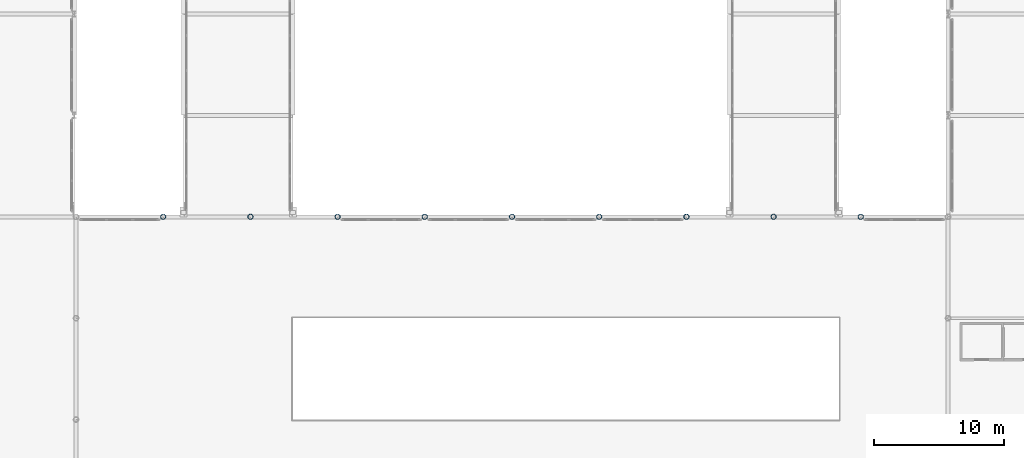
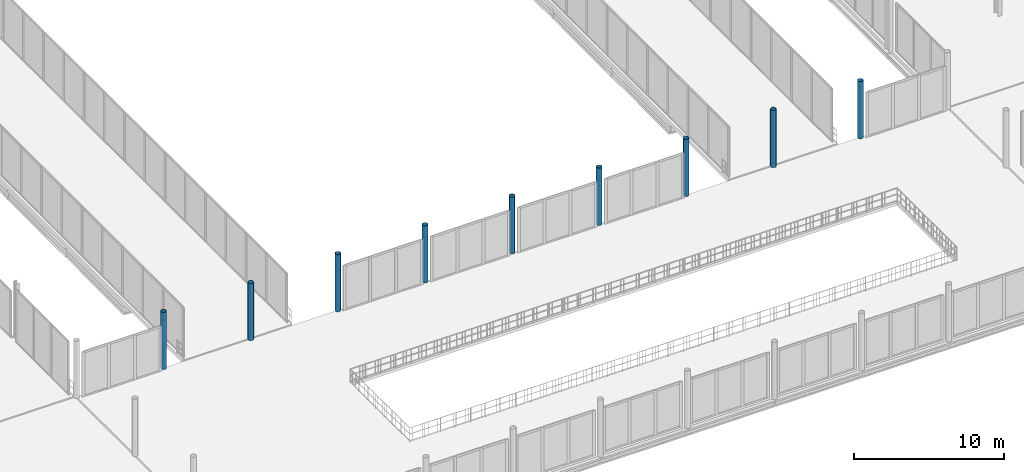
# One storey, part 6 of 98: 9 columns.
"""IFC4 building model written with IfcOpenShell, lengths in metres."""

import ifcopenshell
import ifcopenshell.guid

model = None  # the IFC model being written
_history = None  # IfcOwnerHistory: only IFC2X3 demands one
_inside = {}  # id of a spatial element -> (the spatial element, [elements in it])
_under = {}  # id of a project, library or spatial element -> (it, [spatial elements below it])
_declared = {}  # id of a project -> (the project, [libraries it declares])
_typed = {}  # id of a type object -> (the type object, [elements of that type])
_made_of = {}  # id of a material, layer set ... -> (it, [elements and type objects made of it])


def new_model(schema):
    """Start an empty IFC model of exactly this schema.

    Asked for "IFC4X3", IfcOpenShell would pick the latest addendum, in which some entities
    have other attributes; the version numbers below select the first issue.
    IFC2X3 requires an IfcOwnerHistory on every rooted entity: one is made here for all.
    """
    global model, _history
    if schema == "IFC4X3":
        model = ifcopenshell.file(schema_version=(4, 3, 0, 0))
    else:
        model = ifcopenshell.file(schema=schema)
    _inside.clear()
    _under.clear()
    _declared.clear()
    _typed.clear()
    _made_of.clear()
    _history = None
    if model.schema == "IFC2X3":
        org = make("IfcOrganization", Name="unknown")
        user = make(
            "IfcPersonAndOrganization",
            ThePerson=make("IfcPerson", FamilyName="unknown"),
            TheOrganization=org,
        )
        app = make(
            "IfcApplication",
            ApplicationDeveloper=org,
            Version="unknown",
            ApplicationFullName="unknown",
            ApplicationIdentifier="unknown",
        )
        _history = make(
            "IfcOwnerHistory",
            OwningUser=user,
            OwningApplication=app,
            ChangeAction="ADDED",
            CreationDate=0,
        )
    return model


def make(cls, **values):
    """One entity of the class cls with the attributes given. An attribute that is None is left unset."""
    return model.create_entity(
        cls, **{name: value for name, value in values.items() if value is not None}
    )


def rooted(cls, **values):
    """An entity with a GlobalId (a new one), such as an element, a storey or a relation."""
    return make(cls, GlobalId=ifcopenshell.guid.new(), OwnerHistory=_history, **values)


def si_unit(unit_type, name, prefix=None):
    """IfcSIUnit, for example si_unit("LENGTHUNIT", "METRE", prefix="MILLI")."""
    return make("IfcSIUnit", UnitType=unit_type, Prefix=prefix, Name=name)


def assignment(units):
    """IfcUnitAssignment: the units of a project."""
    return None if units is None else make("IfcUnitAssignment", Units=units)


def point(xyz):
    """IfcCartesianPoint."""
    return None if xyz is None else make("IfcCartesianPoint", Coordinates=xyz)


def direction(xyz):
    """IfcDirection."""
    return None if xyz is None else make("IfcDirection", DirectionRatios=xyz)


def frame(location, z_axis=None, x_axis=None):
    """IfcAxis2Placement3D, a coordinate frame: its origin and axes. An axis left out is left unset."""
    return make(
        "IfcAxis2Placement3D",
        Location=point(location),
        Axis=direction(z_axis),
        RefDirection=direction(x_axis),
    )


def frame_2d(location, x_axis=None):
    """IfcAxis2Placement2D, a coordinate frame in the plane: its origin and x axis."""
    return make(
        "IfcAxis2Placement2D", Location=point(location), RefDirection=direction(x_axis)
    )


def origin():
    """The frame at (0, 0, 0) with its axes left unset."""
    return frame((0.0, 0.0, 0.0))


def origin_2d():
    """The frame at (0, 0) in the plane with its x axis left unset."""
    return frame_2d((0.0, 0.0))


def place(relative_to, where):
    """IfcLocalPlacement: puts the frame where relative to a parent placement (None: the world)."""
    return make(
        "IfcLocalPlacement", PlacementRelTo=relative_to, RelativePlacement=where
    )


def context(
    kind, dimensions, precision=None, world=None, true_north=None, identifier=None
):
    """IfcGeometricRepresentationContext, for example the 3D "Model" context."""
    return make(
        "IfcGeometricRepresentationContext",
        ContextIdentifier=identifier,
        ContextType=kind,
        CoordinateSpaceDimension=dimensions,
        Precision=precision,
        WorldCoordinateSystem=world,
        TrueNorth=true_north,
    )


def subcontext(parent, identifier, kind, view, scale=None):
    """IfcGeometricRepresentationSubContext, for example "Body" below "Model"."""
    return make(
        "IfcGeometricRepresentationSubContext",
        ContextIdentifier=identifier,
        ContextType=kind,
        ParentContext=parent,
        TargetScale=scale,
        TargetView=view,
    )


def project(units=None, contexts=None):
    """IfcProject with its units and contexts."""
    return rooted(
        "IfcProject",
        Name="project",
        RepresentationContexts=contexts,
        UnitsInContext=assignment(units),
    )


def spatial(cls, under=None, at=None, **own):
    """A site, building, storey or space (cls), placed at a placement, below another one or the project."""
    s = rooted(cls, ObjectPlacement=at, **own)
    if under is not None:
        _under.setdefault(under.id(), (under, []))[1].append(s)
    return s


def profile(cls, at=None, kind="AREA", **sizes):
    """A parametric profile (cls). Its sizes go by their IFC names, for example OverallWidth=200.0."""
    return make(cls, ProfileType=kind, Position=at, **sizes)


def hollow_circle(**sizes):
    """IfcCircleHollowProfileDef."""
    return profile("IfcCircleHollowProfileDef", **sizes)


def extrude(swept, where, along, depth):
    """IfcExtrudedAreaSolid: the profile swept, set in the frame where, extruded along a direction by depth."""
    return make(
        "IfcExtrudedAreaSolid",
        SweptArea=swept,
        Position=where,
        ExtrudedDirection=direction(along),
        Depth=depth,
    )


def shape(context_of_items, identifier, shape_type, items):
    """IfcShapeRepresentation: the items that make up one representation, for example the "Body"."""
    return make(
        "IfcShapeRepresentation",
        ContextOfItems=context_of_items,
        RepresentationIdentifier=identifier,
        RepresentationType=shape_type,
        Items=items,
    )


def material(Name=None, Category=None):
    """IfcMaterial."""
    return make("IfcMaterial", Name=Name, Category=Category)


def material_profile(
    of_material, cross_section, Name=None, Category=None, Priority=None
):
    """IfcMaterialProfile: a cross section and its material."""
    return make(
        "IfcMaterialProfile",
        Name=Name,
        Material=of_material,
        Profile=cross_section,
        Priority=Priority,
        Category=Category,
    )


def profile_set(profiles, Name=None, composite=None):
    """IfcMaterialProfileSet."""
    return make(
        "IfcMaterialProfileSet",
        Name=Name,
        MaterialProfiles=profiles,
        CompositeProfile=composite,
    )


def made_of(thing, what):
    """Note that an element or type object is made of a material, layer set ...; save() writes the relation."""
    if what is not None:
        _made_of.setdefault(what.id(), (what, []))[1].append(thing)
    return thing


def type_object(cls, material=None, **own):
    """A type object (cls), such as IfcWallType, which elements share."""
    return made_of(rooted(cls, **own), material)


def element(
    cls,
    number,
    at=None,
    inside=None,
    cuts=None,
    type_object=None,
    material=None,
    context=None,
    identifier="Body",
    shape_type=None,
    held_by="IfcProductDefinitionShape",
    body=None,
    shapes=None,
    **own,
):
    """One element of the class cls, such as IfcWall. Its Tag is "e" and its number.

    at: its placement. inside: the storey or other place that contains it. cuts: it is an
    opening in that element (IfcRelVoidsElement). A single representation is given by context,
    identifier, shape_type and body (its items); several are given by shapes. held_by: the class
    of the entity that holds the representations. save() writes the other relations.
    """
    e = rooted(cls, Tag="e%d" % number, ObjectPlacement=at, **own)
    if body is not None:
        shapes = [shape(context, identifier, shape_type, body)]
    if shapes is not None:
        e.Representation = make(held_by, Representations=shapes)
    if inside is not None:
        _inside.setdefault(inside.id(), (inside, []))[1].append(e)
    if cuts is not None:
        rooted(
            "IfcRelVoidsElement", RelatingBuildingElement=cuts, RelatedOpeningElement=e
        )
    if type_object is not None:
        _typed.setdefault(type_object.id(), (type_object, []))[1].append(e)
    return made_of(e, material)


def aggregate(whole, parts):
    """IfcRelAggregates: a whole, such as a stair, and the parts it consists of."""
    return rooted("IfcRelAggregates", RelatingObject=whole, RelatedObjects=parts)


def save(model, path):
    """Write the relations noted so far, then the file.

    IfcRelAggregates (storeys below a building ...), IfcRelContainedInSpatialStructure (elements
    in a storey), IfcRelDefinesByType, IfcRelAssociatesMaterial and IfcRelDeclares: one each for
    every whole, place, type object, material and project.
    """
    for whole, parts in _under.values():
        aggregate(whole, parts)
    for where, things in _inside.values():
        rooted(
            "IfcRelContainedInSpatialStructure",
            RelatedElements=things,
            RelatingStructure=where,
        )
    for kind, things in _typed.values():
        rooted("IfcRelDefinesByType", RelatedObjects=things, RelatingType=kind)
    for what, things in _made_of.values():
        rooted("IfcRelAssociatesMaterial", RelatedObjects=things, RelatingMaterial=what)
    for by, libraries in _declared.values():
        rooted("IfcRelDeclares", RelatingContext=by, RelatedDefinitions=libraries)
    model.write(path)


model = new_model("IFC4")

# Units and contexts
model_context = context("Model", 3, precision=1e-05, world=origin(), true_north=direction((0.0, 1.0)))
body_context = subcontext(model_context, "Body", "Model", "MODEL_VIEW")
ifc_project = project(units=[si_unit("LENGTHUNIT", "METRE"), si_unit("AREAUNIT", "SQUARE_METRE"), si_unit("VOLUMEUNIT", "CUBIC_METRE"), si_unit("PLANEANGLEUNIT", "RADIAN"), si_unit("MASSUNIT", "GRAM", prefix="KILO")], contexts=[model_context])

# Site, building, storey
site_placement = place(None, origin())
site = spatial("IfcSite", under=ifc_project, at=site_placement, CompositionType="ELEMENT")
building_placement = place(site_placement, origin())
building = spatial("IfcBuilding", under=site, at=building_placement, Name="Nabrawat Pavilion Hospital", CompositionType="ELEMENT")
storey_placement = place(building_placement, frame((0.0, 0.0, 10.199951171875)))
storey = spatial("IfcBuildingStorey", under=building, at=storey_placement, Name="L02", CompositionType="ELEMENT", Elevation=10.199951171875)

# Columns
ifc_material = material(Name="Steel S355", Category="steel")
ifc_material_profile = material_profile(ifc_material, hollow_circle(Radius=0.203125, WallThickness=0.02001953125, at=origin_2d()), Name="CHS 406.4x20")
ifc_profile_set = profile_set([ifc_material_profile], Name="Steel S355")
column_type = type_object("IfcColumnType", Name="Expressed Pavilion Tubular Column CHS 406.4x20", PredefinedType="COLUMN", material=ifc_profile_set)
for number, where, z_axis, x_axis, name in (
    (1, (65.6279296875, 39.0, 0.0), (0.0, 0.0, 1.0), (1.0, 0.0, 0.0), "L02 Expressed Pavilion Column MH-N01"),
    (2, (72.3359375, 39.0, 0.0), (0.0, 0.0, 1.0), (1.0, 0.0, 0.0), "L02 Expressed Pavilion Column MH-N02"),
    (3, (79.0439453125, 39.0, 0.0), (0.0, 0.0, 1.0), (1.0, 0.0, 0.0), "L02 Expressed Pavilion Column MH-N03"),
    (4, (85.751953125, 39.0, 0.0), (0.0, 0.0, 1.0), (1.0, 0.0, 0.0), "L02 Expressed Pavilion Column MH-N04"),
    (5, (92.4599609375, 39.0, 0.0), (0.0, 0.0, 1.0), (1.0, 0.0, 0.0), "L02 Expressed Pavilion Column MH-N05"),
    (6, (99.16796875, 39.0, 0.0), (0.0, 0.0, 1.0), (1.0, 0.0, 0.0), "L02 Expressed Pavilion Column MH-N06"),
    (7, (105.8759765625, 39.0, 0.0), (0.0, 0.0, 1.0), (1.0, 0.0, 0.0), "L02 Expressed Pavilion Column MH-N07"),
    (8, (112.583984375, 39.0, 0.0), (0.0, 0.0, 1.0), (1.0, 0.0, 0.0), "L02 Expressed Pavilion Column MH-N08"),
    (9, (119.2919921875, 39.0, 0.0), (0.0, 0.0, 1.0), (1.0, 0.0, 0.0), "L02 Expressed Pavilion Column MH-N09"),
):
    element("IfcColumn", number, at=place(storey_placement, frame(where, z_axis=z_axis, x_axis=x_axis)), inside=storey, type_object=column_type, Name=name, PredefinedType="COLUMN", context=body_context, shape_type="SweptSolid", body=[
        extrude(hollow_circle(Radius=0.203125, WallThickness=0.02001953125, at=origin_2d()), origin(), (0.0, 0.0, 1.0), 4.650146484375),
    ])

save(model, "model.ifc")
